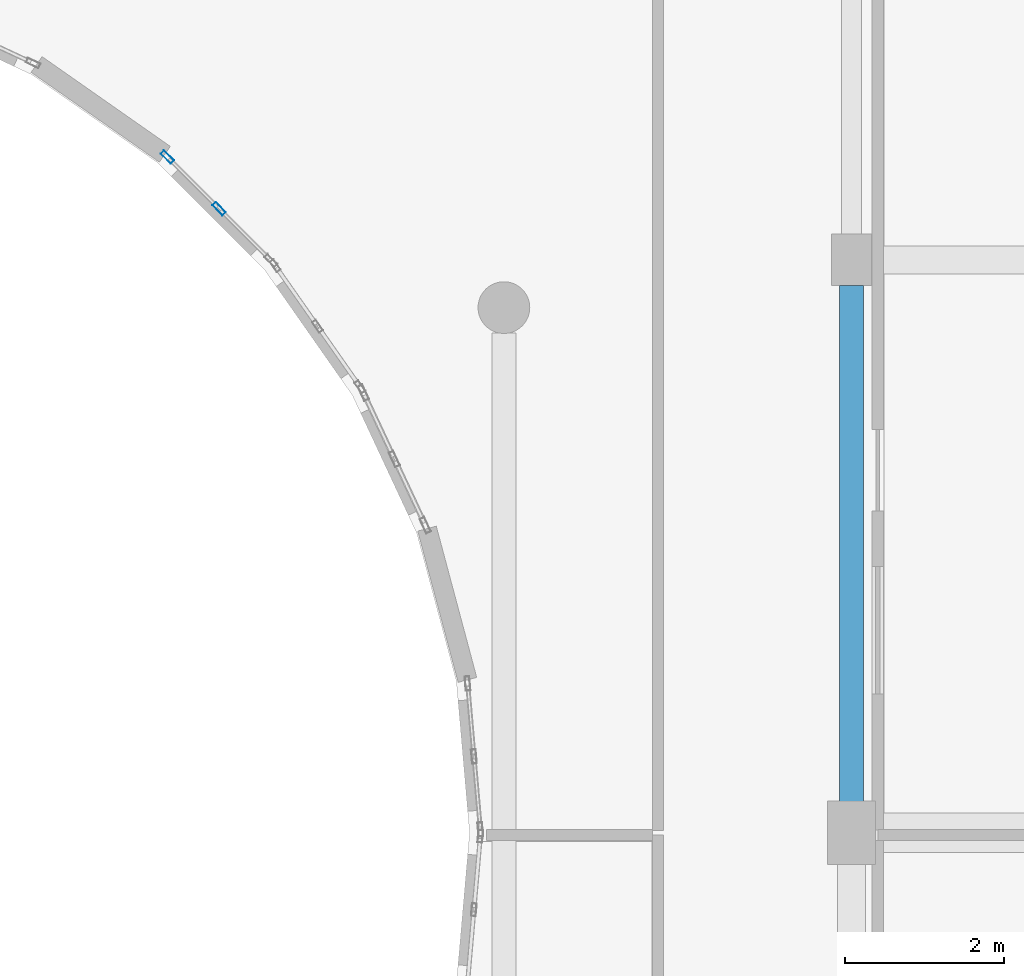
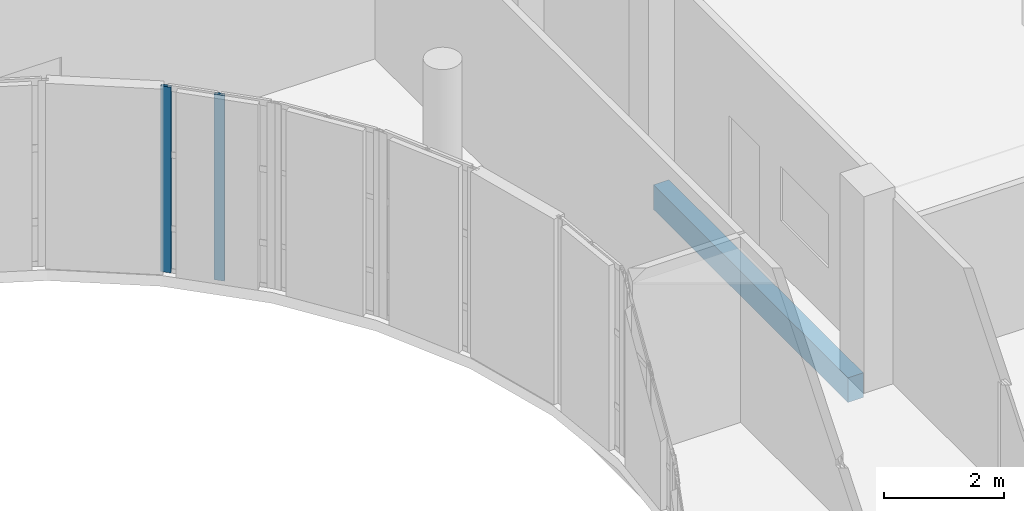
# One storey, part 31 of 92: 2 members, 1 beam, 1 element without a shape of its own.
"""IFC4 building model written with IfcOpenShell, lengths in metres."""

from ifc_helpers import new_model, si_unit, direction, frame, origin, origin_2d, place, context, subcontext, project, spatial, rectangle, hollow_rectangle, extrude, material, layer, layer_set, material_profile, profile_set, type_object, element, aggregate, save


model = new_model("IFC4")

# Units and contexts
model_context = context("Model", 3, precision=1e-05, world=origin(), true_north=direction((0.0, 1.0)))
body_context = subcontext(model_context, "Body", "Model", "MODEL_VIEW")
ifc_project = project(units=[si_unit("LENGTHUNIT", "METRE"), si_unit("AREAUNIT", "SQUARE_METRE"), si_unit("VOLUMEUNIT", "CUBIC_METRE"), si_unit("PLANEANGLEUNIT", "RADIAN"), si_unit("MASSUNIT", "GRAM", prefix="KILO")], contexts=[model_context])

# Site, building, storey
site_placement = place(None, origin())
site = spatial("IfcSite", under=ifc_project, at=site_placement, CompositionType="ELEMENT")
building_placement = place(site_placement, origin())
building = spatial("IfcBuilding", under=site, at=building_placement, Name="Kelanivale Promenade Academy", CompositionType="ELEMENT")
storey_placement = place(building_placement, frame((0.0, 0.0, 8.199951171875)))
storey = spatial("IfcBuildingStorey", under=building, at=storey_placement, Name="L02", CompositionType="ELEMENT", Elevation=8.199951171875)

# Curtain wall, members
ifc_material_1 = material(Name="Bronze anodised aluminium and solar-control low-E glass", Category="aluminium")
ifc_layer = layer(ifc_material_1, 0.169921875)
ifc_layer_set = layer_set([ifc_layer], Name="Bronze anodised aluminium and solar-control low-E glass")
curtain_wall_type = type_object("IfcCurtainWallType", Name="CW-10 Curtain Wall 1800mm Module", PredefinedType="USERDEFINED", material=ifc_layer_set)
curtain_wall_placement = place(storey_placement, origin())
curtain_wall = element("IfcCurtainWall", 1, at=curtain_wall_placement, inside=storey, type_object=curtain_wall_type, Name="L02 courtyard curtain wall CW-10", ObjectType="UNITISED GLAZING", PredefinedType="USERDEFINED")
ifc_material_2 = material(Name="Bronze anodised aluminium EN AW-6063 T6", Category="aluminium")
ifc_material_profile_1 = material_profile(ifc_material_2, hollow_rectangle(XDim=0.06005859375, YDim=0.179931640625, WallThickness=0.00390625, at=origin_2d()), Name="ALU 60x180x4.0")
ifc_profile_set_1 = profile_set([ifc_material_profile_1], Name="Bronze anodised aluminium EN AW-6063 T6")
member_type = type_object("IfcMemberType", Name="CWM-02 ALU 60x180x4.0", PredefinedType="MULLION", material=ifc_profile_set_1)
member_1_placement = place(storey_placement, frame((71.2529296875, 64.64208984375, 0.0), z_axis=(0.0, 0.0, 1.0), x_axis=(-0.707106781187, -0.707106781187, 0.0)))
member_1 = element("IfcMember", 2, at=member_1_placement, type_object=member_type, Name="CW-10 mullion 2", PredefinedType="MULLION", context=body_context, shape_type="SweptSolid", body=[
    extrude(hollow_rectangle(XDim=0.06005859375, YDim=0.179931640625, WallThickness=0.00390625, at=origin_2d()), origin(), (0.0, 0.0, 1.0), 3.780029296875),
])
member_2_placement = place(storey_placement, frame((70.602294921875, 65.292724609375, 0.0), z_axis=(0.0, 0.0, 1.0), x_axis=(-0.707106781187, -0.707106781187, 0.0)))
member_2 = element("IfcMember", 3, at=member_2_placement, type_object=member_type, Name="CW-10 mullion 3", PredefinedType="MULLION", context=body_context, shape_type="SweptSolid", body=[
    extrude(hollow_rectangle(XDim=0.06005859375, YDim=0.179931640625, WallThickness=0.00390625, at=origin_2d()), origin(), (0.0, 0.0, 1.0), 3.780029296875),
])
aggregate(curtain_wall, [member_1, member_2])

# Beam
ifc_material_3 = material(Name="Concrete C35/45", Category="concrete")
ifc_material_profile_2 = material_profile(ifc_material_3, rectangle(XDim=0.300048828125, YDim=0.5, at=origin_2d()), Name="RC-BM 300x500")
ifc_profile_set_2 = profile_set([ifc_material_profile_2], Name="Concrete C35/45")
beam_type = type_object("IfcBeamType", Name="JS-01 RC-BM 300x500", PredefinedType="JOIST", material=ifc_profile_set_2)
beam_placement = place(storey_placement, frame((79.199951171875, 57.195068359375, -0.469970703125), z_axis=(0.0, 1.0, 0.0), x_axis=(-1.0, 0.0, 0.0)))
element("IfcBeam", 4, at=beam_placement, inside=storey, type_object=beam_type, Name="L02 beam JS-01", PredefinedType="JOIST", context=body_context, shape_type="SweptSolid", body=[
    extrude(rectangle(XDim=0.300048828125, YDim=0.5, at=origin_2d()), origin(), (0.0, 0.0, 1.0), 6.48486328125),
])

save(model, "model.ifc")
